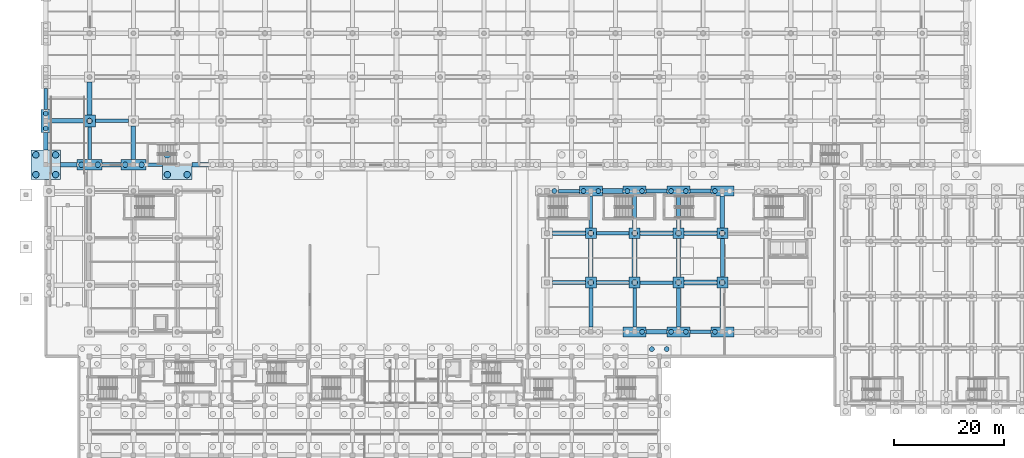
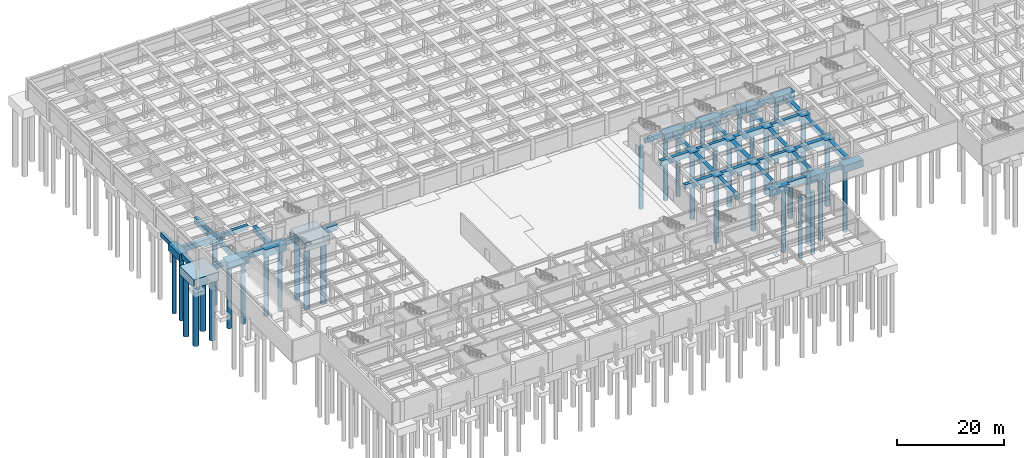
# One storey, part 5 of 48: 58 footings, 36 piles.
"""IFC4 building model written with IfcOpenShell, lengths in metres."""

from ifc_helpers import new_model, si_unit, direction, frame, origin, origin_2d, place, context, subcontext, project, spatial, polyline, rectangle, circle, outline, extrude, material, layer, layer_set, material_profile, profile_set, type_object, element, save


model = new_model("IFC4")

# Units and contexts
model_context = context("Model", 3, precision=1e-05, world=origin(), true_north=direction((0.0, 1.0)))
body_context = subcontext(model_context, "Body", "Model", "MODEL_VIEW")
ifc_project = project(units=[si_unit("LENGTHUNIT", "METRE"), si_unit("AREAUNIT", "SQUARE_METRE"), si_unit("VOLUMEUNIT", "CUBIC_METRE"), si_unit("PLANEANGLEUNIT", "RADIAN"), si_unit("MASSUNIT", "GRAM", prefix="KILO")], contexts=[model_context])

# Site, building, storey
site_placement = place(None, origin())
site = spatial("IfcSite", under=ifc_project, at=site_placement, CompositionType="ELEMENT")
building_placement = place(site_placement, origin())
building = spatial("IfcBuilding", under=site, at=building_placement, Name="Tlacozan Convention Centre", CompositionType="ELEMENT")
storey_placement = place(building_placement, frame((0.0, 0.0, -4.800048828125)))
storey = spatial("IfcBuildingStorey", under=building, at=storey_placement, Name="B01", CompositionType="ELEMENT", Elevation=-4.800048828125)

# Footings
ifc_material = material(Name="Concrete C35/45", Category="concrete")
ifc_layer_1 = layer(ifc_material, 1.0)
ifc_layer_set_1 = layer_set([ifc_layer_1], Name="Concrete C35/45")
footing_type_1 = type_object("IfcFootingType", Name="Foundation Tie Beam 650x1000", PredefinedType="FOOTING_BEAM", material=ifc_layer_set_1)
footing_1_placement = place(storey_placement, frame((0.0, 0.0, -1.0)))
element("IfcFooting", 1, at=footing_1_placement, inside=storey, type_object=footing_type_1, Name="Foundation Tie Beam X-73", PredefinedType="FOOTING_BEAM", context=body_context, shape_type="SweptSolid", body=[
    extrude(outline(polyline([(117.60009765625, 31.175048828125), (121.39990234375, 31.175048828125), (121.39990234375, 31.824951171875), (117.60009765625, 31.824951171875), (117.60009765625, 31.175048828125)])), origin(), (0.0, 0.0, 1.0), 1.0),
])
footing_2_placement = place(storey_placement, frame((0.0, 0.0, -1.0)))
element("IfcFooting", 2, at=footing_2_placement, inside=storey, type_object=footing_type_1, Name="Foundation Tie Beam X-89", PredefinedType="FOOTING_BEAM", context=body_context, shape_type="SweptSolid", body=[
    extrude(outline(polyline([(108.5, 40.175048828125), (114.5, 40.175048828125), (114.5, 40.824951171875), (108.5, 40.824951171875), (108.5, 40.175048828125)])), origin(), (0.0, 0.0, 1.0), 1.0),
])
footing_3_placement = place(storey_placement, frame((0.0, 0.0, -1.0)))
element("IfcFooting", 3, at=footing_3_placement, inside=storey, type_object=footing_type_1, Name="Foundation Tie Beam X-105", PredefinedType="FOOTING_BEAM", context=body_context, shape_type="SweptSolid", body=[
    extrude(outline(polyline([(100.5, 49.175048828125), (106.5, 49.175048828125), (106.5, 49.824951171875), (100.5, 49.824951171875), (100.5, 49.175048828125)])), origin(), (0.0, 0.0, 1.0), 1.0),
])
footing_4_placement = place(storey_placement, frame((0.0, 0.0, -1.0)))
element("IfcFooting", 4, at=footing_4_placement, inside=storey, type_object=footing_type_1, Name="Foundation Tie Beam X-121", PredefinedType="FOOTING_BEAM", context=body_context, shape_type="SweptSolid", body=[
    extrude(outline(polyline([(93.60009765625, 56.875), (97.39990234375, 56.875), (97.39990234375, 57.52490234375), (93.60009765625, 57.52490234375), (93.60009765625, 56.875)])), origin(), (0.0, 0.0, 1.0), 1.0),
])
footing_5_placement = place(storey_placement, frame((0.0, 0.0, -1.0)))
element("IfcFooting", 5, at=footing_5_placement, inside=storey, type_object=footing_type_1, Name="Foundation Tie Beam X-129", PredefinedType="FOOTING_BEAM", context=body_context, shape_type="SweptSolid", body=[
    extrude(outline(polyline([(18.300048828125, 61.675048828125), (21.300048828125, 61.675048828125), (21.300048828125, 62.324951171875), (18.300048828125, 62.324951171875), (18.300048828125, 61.675048828125)])), origin(), (0.0, 0.0, 1.0), 1.0),
])
footing_6_placement = place(storey_placement, frame((0.0, 0.0, -1.0)))
element("IfcFooting", 6, at=footing_6_placement, inside=storey, type_object=footing_type_1, Name="Foundation Tie Beam X-149", PredefinedType="FOOTING_BEAM", context=body_context, shape_type="SweptSolid", body=[
    extrude(outline(polyline([(9.10009765625, 69.675048828125), (15.10009765625, 69.675048828125), (15.10009765625, 70.324951171875), (9.10009765625, 70.324951171875), (9.10009765625, 69.675048828125)])), origin(), (0.0, 0.0, 1.0), 1.0),
])
footing_7_placement = place(storey_placement, frame((0.0, 0.0, -1.0)))
element("IfcFooting", 7, at=footing_7_placement, inside=storey, type_object=footing_type_1, Name="Foundation Tie Beam Y-317", PredefinedType="FOOTING_BEAM", context=body_context, shape_type="SweptSolid", body=[
    extrude(outline(polyline([(-0.324951171875, 72.10009765625), (0.324951171875, 72.10009765625), (0.324951171875, 75.89990234375), (-0.324951171875, 75.89990234375), (-0.324951171875, 72.10009765625)])), origin(), (0.0, 0.0, 1.0), 1.0),
])
footing_8_placement = place(storey_placement, frame((0.0, 0.0, -1.0)))
element("IfcFooting", 8, at=footing_8_placement, inside=storey, type_object=footing_type_1, Name="Foundation Tie Beam Y-333", PredefinedType="FOOTING_BEAM", context=body_context, shape_type="SweptSolid", body=[
    extrude(outline(polyline([(7.675048828125, 63.0), (8.324951171875, 63.0), (8.324951171875, 68.89990234375), (7.675048828125, 68.89990234375), (7.675048828125, 63.0)])), origin(), (0.0, 0.0, 1.0), 1.0),
])
footing_9_placement = place(storey_placement, frame((0.0, 0.0, -1.0)))
element("IfcFooting", 9, at=footing_9_placement, inside=storey, type_object=footing_type_1, Name="Foundation Tie Beam Y-477", PredefinedType="FOOTING_BEAM", context=body_context, shape_type="SweptSolid", body=[
    extrude(outline(polyline([(99.175048828125, 50.5), (99.824951171875, 50.5), (99.824951171875, 56.300048828125), (99.175048828125, 56.300048828125), (99.175048828125, 50.5)])), origin(), (0.0, 0.0, 1.0), 1.0),
])
footing_10_placement = place(storey_placement, frame((0.0, 0.0, -1.0)))
element("IfcFooting", 10, at=footing_10_placement, inside=storey, type_object=footing_type_1, Name="Foundation Tie Beam Y-489", PredefinedType="FOOTING_BEAM", context=body_context, shape_type="SweptSolid", body=[
    extrude(outline(polyline([(107.175048828125, 32.39990234375), (107.824951171875, 32.39990234375), (107.824951171875, 39.5), (107.175048828125, 39.5), (107.175048828125, 32.39990234375)])), origin(), (0.0, 0.0, 1.0), 1.0),
])
footing_11_placement = place(storey_placement, frame((0.0, 0.0, -1.0)))
element("IfcFooting", 11, at=footing_11_placement, inside=storey, type_object=footing_type_1, Name="Foundation Tie Beam Y-505", PredefinedType="FOOTING_BEAM", context=body_context, shape_type="SweptSolid", body=[
    extrude(outline(polyline([(115.175048828125, 50.5), (115.824951171875, 50.5), (115.824951171875, 56.300048828125), (115.175048828125, 56.300048828125), (115.175048828125, 50.5)])), origin(), (0.0, 0.0, 1.0), 1.0),
])
ifc_layer_2 = layer(ifc_material, 1.10009765625)
ifc_layer_set_2 = layer_set([ifc_layer_2], Name="Concrete C35/45")
footing_type_2 = type_object("IfcFootingType", Name="Foundation Tie Beam 750x1100", PredefinedType="FOOTING_BEAM", material=ifc_layer_set_2)
footing_12_placement = place(storey_placement, frame((0.0, 0.0, -1.099853515625)))
element("IfcFooting", 12, at=footing_12_placement, inside=storey, type_object=footing_type_2, Name="Foundation Tie Beam X-87", PredefinedType="FOOTING_BEAM", context=body_context, shape_type="SweptSolid", body=[
    extrude(outline(polyline([(92.5, 40.125), (98.5, 40.125), (98.5, 40.875), (92.5, 40.875), (92.5, 40.125)])), origin(), (0.0, 0.0, 1.0), 1.099853515625),
])
footing_13_placement = place(storey_placement, frame((0.0, 0.0, -1.099853515625)))
element("IfcFooting", 13, at=footing_13_placement, inside=storey, type_object=footing_type_2, Name="Foundation Tie Beam X-107", PredefinedType="FOOTING_BEAM", context=body_context, shape_type="SweptSolid", body=[
    extrude(outline(polyline([(116.5, 49.125), (122.5, 49.125), (122.5, 49.875), (116.5, 49.875), (116.5, 49.125)])), origin(), (0.0, 0.0, 1.0), 1.099853515625),
])
footing_14_placement = place(storey_placement, frame((0.0, 0.0, -1.099853515625)))
element("IfcFooting", 14, at=footing_14_placement, inside=storey, type_object=footing_type_2, Name="Foundation Tie Beam X-123", PredefinedType="FOOTING_BEAM", context=body_context, shape_type="SweptSolid", body=[
    extrude(outline(polyline([(109.60009765625, 56.824951171875), (113.39990234375, 56.824951171875), (113.39990234375, 57.574951171875), (109.60009765625, 57.574951171875), (109.60009765625, 56.824951171875)])), origin(), (0.0, 0.0, 1.0), 1.099853515625),
])
footing_15_placement = place(storey_placement, frame((0.0, 0.0, -1.099853515625)))
element("IfcFooting", 15, at=footing_15_placement, inside=storey, type_object=footing_type_2, Name="Foundation Tie Beam X-127", PredefinedType="FOOTING_BEAM", context=body_context, shape_type="SweptSolid", body=[
    extrude(outline(polyline([(2.699951171875, 61.625), (5.699951171875, 61.625), (5.699951171875, 62.375), (2.699951171875, 62.375), (2.699951171875, 61.625)])), origin(), (0.0, 0.0, 1.0), 1.099853515625),
])
footing_16_placement = place(storey_placement, frame((0.0, 0.0, -1.099853515625)))
element("IfcFooting", 16, at=footing_16_placement, inside=storey, type_object=footing_type_2, Name="Foundation Tie Beam Y-475", PredefinedType="FOOTING_BEAM", context=body_context, shape_type="SweptSolid", body=[
    extrude(outline(polyline([(99.125, 32.39990234375), (99.875, 32.39990234375), (99.875, 39.5), (99.125, 39.5), (99.125, 32.39990234375)])), origin(), (0.0, 0.0, 1.0), 1.099853515625),
])
footing_17_placement = place(storey_placement, frame((0.0, 0.0, -1.099853515625)))
element("IfcFooting", 17, at=footing_17_placement, inside=storey, type_object=footing_type_2, Name="Foundation Tie Beam Y-491", PredefinedType="FOOTING_BEAM", context=body_context, shape_type="SweptSolid", body=[
    extrude(outline(polyline([(107.125, 50.5), (107.875, 50.5), (107.875, 56.300048828125), (107.125, 56.300048828125), (107.125, 50.5)])), origin(), (0.0, 0.0, 1.0), 1.099853515625),
])
footing_18_placement = place(storey_placement, frame((0.0, 0.0, -1.099853515625)))
element("IfcFooting", 18, at=footing_18_placement, inside=storey, type_object=footing_type_2, Name="Foundation Tie Beam Y-503", PredefinedType="FOOTING_BEAM", context=body_context, shape_type="SweptSolid", body=[
    extrude(outline(polyline([(115.125, 32.39990234375), (115.875, 32.39990234375), (115.875, 39.5), (115.125, 39.5), (115.125, 32.39990234375)])), origin(), (0.0, 0.0, 1.0), 1.099853515625),
])
footing_19_placement = place(storey_placement, frame((0.0, 0.0, -1.099853515625)))
element("IfcFooting", 19, at=footing_19_placement, inside=storey, type_object=footing_type_2, Name="Foundation Tie Beam Y-515", PredefinedType="FOOTING_BEAM", context=body_context, shape_type="SweptSolid", body=[
    extrude(outline(polyline([(123.125, 41.5), (123.875, 41.5), (123.875, 48.5), (123.125, 48.5), (123.125, 41.5)])), origin(), (0.0, 0.0, 1.0), 1.099853515625),
])
ifc_layer_3 = layer(ifc_material, 1.199951171875)
ifc_layer_set_3 = layer_set([ifc_layer_3], Name="Concrete C35/45")
footing_type_3 = type_object("IfcFootingType", Name="Foundation Tie Beam 800x1200", PredefinedType="FOOTING_BEAM", material=ifc_layer_set_3)
footing_20_placement = place(storey_placement, frame((0.0, 0.0, -1.199951171875)))
element("IfcFooting", 20, at=footing_20_placement, inside=storey, type_object=footing_type_3, Name="Foundation Tie Beam X-72", PredefinedType="FOOTING_BEAM", context=body_context, shape_type="SweptSolid", body=[
    extrude(outline(polyline([(109.60009765625, 31.10009765625), (113.39990234375, 31.10009765625), (113.39990234375, 31.89990234375), (109.60009765625, 31.89990234375), (109.60009765625, 31.10009765625)])), origin(), (0.0, 0.0, 1.0), 1.199951171875),
])
footing_21_placement = place(storey_placement, frame((0.0, 0.0, -1.199951171875)))
element("IfcFooting", 21, at=footing_21_placement, inside=storey, type_object=footing_type_3, Name="Foundation Tie Beam X-88", PredefinedType="FOOTING_BEAM", context=body_context, shape_type="SweptSolid", body=[
    extrude(outline(polyline([(100.5, 40.10009765625), (106.5, 40.10009765625), (106.5, 40.89990234375), (100.5, 40.89990234375), (100.5, 40.10009765625)])), origin(), (0.0, 0.0, 1.0), 1.199951171875),
])
footing_22_placement = place(storey_placement, frame((0.0, 0.0, -1.199951171875)))
element("IfcFooting", 22, at=footing_22_placement, inside=storey, type_object=footing_type_3, Name="Foundation Tie Beam X-104", PredefinedType="FOOTING_BEAM", context=body_context, shape_type="SweptSolid", body=[
    extrude(outline(polyline([(92.5, 49.10009765625), (98.5, 49.10009765625), (98.5, 49.89990234375), (92.5, 49.89990234375), (92.5, 49.10009765625)])), origin(), (0.0, 0.0, 1.0), 1.199951171875),
])
footing_23_placement = place(storey_placement, frame((0.0, 0.0, -1.199951171875)))
element("IfcFooting", 23, at=footing_23_placement, inside=storey, type_object=footing_type_3, Name="Foundation Tie Beam X-124", PredefinedType="FOOTING_BEAM", context=body_context, shape_type="SweptSolid", body=[
    extrude(outline(polyline([(117.60009765625, 56.800048828125), (121.39990234375, 56.800048828125), (121.39990234375, 57.60009765625), (117.60009765625, 57.60009765625), (117.60009765625, 56.800048828125)])), origin(), (0.0, 0.0, 1.0), 1.199951171875),
])
footing_24_placement = place(storey_placement, frame((0.0, 0.0, -1.199951171875)))
element("IfcFooting", 24, at=footing_24_placement, inside=storey, type_object=footing_type_3, Name="Foundation Tie Beam X-128", PredefinedType="FOOTING_BEAM", context=body_context, shape_type="SweptSolid", body=[
    extrude(outline(polyline([(10.300048828125, 61.60009765625), (13.699951171875, 61.60009765625), (13.699951171875, 62.39990234375), (10.300048828125, 62.39990234375), (10.300048828125, 61.60009765625)])), origin(), (0.0, 0.0, 1.0), 1.199951171875),
])
footing_25_placement = place(storey_placement, frame((0.0, 0.0, -1.199951171875)))
element("IfcFooting", 25, at=footing_25_placement, inside=storey, type_object=footing_type_3, Name="Foundation Tie Beam X-148", PredefinedType="FOOTING_BEAM", context=body_context, shape_type="SweptSolid", body=[
    extrude(outline(polyline([(0.89990234375, 69.60009765625), (6.89990234375, 69.60009765625), (6.89990234375, 70.39990234375), (0.89990234375, 70.39990234375), (0.89990234375, 69.60009765625)])), origin(), (0.0, 0.0, 1.0), 1.199951171875),
])
footing_26_placement = place(storey_placement, frame((0.0, 0.0, -1.199951171875)))
element("IfcFooting", 26, at=footing_26_placement, inside=storey, type_object=footing_type_3, Name="Foundation Tie Beam Y-316", PredefinedType="FOOTING_BEAM", context=body_context, shape_type="SweptSolid", body=[
    extrude(outline(polyline([(-0.39990234375, 64.699951171875), (0.39990234375, 64.699951171875), (0.39990234375, 67.89990234375), (-0.39990234375, 67.89990234375), (-0.39990234375, 64.699951171875)])), origin(), (0.0, 0.0, 1.0), 1.199951171875),
])
footing_27_placement = place(storey_placement, frame((0.0, 0.0, -1.199951171875)))
element("IfcFooting", 27, at=footing_27_placement, inside=storey, type_object=footing_type_3, Name="Foundation Tie Beam Y-348", PredefinedType="FOOTING_BEAM", context=body_context, shape_type="SweptSolid", body=[
    extrude(outline(polyline([(15.60009765625, 63.0), (16.39990234375, 63.0), (16.39990234375, 69.10009765625), (15.60009765625, 69.10009765625), (15.60009765625, 63.0)])), origin(), (0.0, 0.0, 1.0), 1.199951171875),
])
footing_28_placement = place(storey_placement, frame((0.0, 0.0, -1.199951171875)))
element("IfcFooting", 28, at=footing_28_placement, inside=storey, type_object=footing_type_3, Name="Foundation Tie Beam Y-476", PredefinedType="FOOTING_BEAM", context=body_context, shape_type="SweptSolid", body=[
    extrude(outline(polyline([(99.10009765625, 41.5), (99.89990234375, 41.5), (99.89990234375, 48.5), (99.10009765625, 48.5), (99.10009765625, 41.5)])), origin(), (0.0, 0.0, 1.0), 1.199951171875),
])
footing_29_placement = place(storey_placement, frame((0.0, 0.0, -1.199951171875)))
element("IfcFooting", 29, at=footing_29_placement, inside=storey, type_object=footing_type_3, Name="Foundation Tie Beam Y-504", PredefinedType="FOOTING_BEAM", context=body_context, shape_type="SweptSolid", body=[
    extrude(outline(polyline([(115.10009765625, 41.5), (115.89990234375, 41.5), (115.89990234375, 48.5), (115.10009765625, 48.5), (115.10009765625, 41.5)])), origin(), (0.0, 0.0, 1.0), 1.199951171875),
])
footing_30_placement = place(storey_placement, frame((0.0, 0.0, -1.199951171875)))
element("IfcFooting", 30, at=footing_30_placement, inside=storey, type_object=footing_type_3, Name="Foundation Tie Beam Y-516", PredefinedType="FOOTING_BEAM", context=body_context, shape_type="SweptSolid", body=[
    extrude(outline(polyline([(123.10009765625, 50.5), (123.89990234375, 50.5), (123.89990234375, 56.300048828125), (123.10009765625, 56.300048828125), (123.10009765625, 50.5)])), origin(), (0.0, 0.0, 1.0), 1.199951171875),
])
ifc_layer_4 = layer(ifc_material, 1.300048828125)
ifc_layer_set_4 = layer_set([ifc_layer_4], Name="Concrete C35/45")
footing_type_4 = type_object("IfcFootingType", Name="Foundation Tie Beam 900x1300", PredefinedType="FOOTING_BEAM", material=ifc_layer_set_4)
footing_31_placement = place(storey_placement, frame((0.0, 0.0, -1.300048828125)))
element("IfcFooting", 31, at=footing_31_placement, inside=storey, type_object=footing_type_4, Name="Foundation Tie Beam X-90", PredefinedType="FOOTING_BEAM", context=body_context, shape_type="SweptSolid", body=[
    extrude(outline(polyline([(116.5, 40.050048828125), (122.5, 40.050048828125), (122.5, 40.949951171875), (116.5, 40.949951171875), (116.5, 40.050048828125)])), origin(), (0.0, 0.0, 1.0), 1.300048828125),
])
footing_32_placement = place(storey_placement, frame((0.0, 0.0, -1.300048828125)))
element("IfcFooting", 32, at=footing_32_placement, inside=storey, type_object=footing_type_4, Name="Foundation Tie Beam X-106", PredefinedType="FOOTING_BEAM", context=body_context, shape_type="SweptSolid", body=[
    extrude(outline(polyline([(108.5, 49.050048828125), (114.5, 49.050048828125), (114.5, 49.949951171875), (108.5, 49.949951171875), (108.5, 49.050048828125)])), origin(), (0.0, 0.0, 1.0), 1.300048828125),
])
footing_33_placement = place(storey_placement, frame((0.0, 0.0, -1.300048828125)))
element("IfcFooting", 33, at=footing_33_placement, inside=storey, type_object=footing_type_4, Name="Foundation Tie Beam X-122", PredefinedType="FOOTING_BEAM", context=body_context, shape_type="SweptSolid", body=[
    extrude(outline(polyline([(101.60009765625, 56.75), (105.39990234375, 56.75), (105.39990234375, 57.64990234375), (101.60009765625, 57.64990234375), (101.60009765625, 56.75)])), origin(), (0.0, 0.0, 1.0), 1.300048828125),
])
footing_34_placement = place(storey_placement, frame((0.0, 0.0, -1.300048828125)))
element("IfcFooting", 34, at=footing_34_placement, inside=storey, type_object=footing_type_4, Name="Foundation Tie Beam X-130", PredefinedType="FOOTING_BEAM", context=body_context, shape_type="SweptSolid", body=[
    extrude(outline(polyline([(26.699951171875, 61.550048828125), (29.699951171875, 61.550048828125), (29.699951171875, 62.449951171875), (26.699951171875, 62.449951171875), (26.699951171875, 61.550048828125)])), origin(), (0.0, 0.0, 1.0), 1.300048828125),
])
footing_35_placement = place(storey_placement, frame((0.0, 0.0, -1.300048828125)))
element("IfcFooting", 35, at=footing_35_placement, inside=storey, type_object=footing_type_4, Name="Foundation Tie Beam Y-334", PredefinedType="FOOTING_BEAM", context=body_context, shape_type="SweptSolid", body=[
    extrude(outline(polyline([(7.550048828125, 71.10009765625), (8.449951171875, 71.10009765625), (8.449951171875, 77.10009765625), (7.550048828125, 77.10009765625), (7.550048828125, 71.10009765625)])), origin(), (0.0, 0.0, 1.0), 1.300048828125),
])
footing_36_placement = place(storey_placement, frame((0.0, 0.0, -1.300048828125)))
element("IfcFooting", 36, at=footing_36_placement, inside=storey, type_object=footing_type_4, Name="Foundation Tie Beam Y-490", PredefinedType="FOOTING_BEAM", context=body_context, shape_type="SweptSolid", body=[
    extrude(outline(polyline([(107.050048828125, 41.5), (107.949951171875, 41.5), (107.949951171875, 48.5), (107.050048828125, 48.5), (107.050048828125, 41.5)])), origin(), (0.0, 0.0, 1.0), 1.300048828125),
])
footing_37_placement = place(storey_placement, frame((0.0, 0.0, -1.300048828125)))
element("IfcFooting", 37, at=footing_37_placement, inside=storey, type_object=footing_type_4, Name="Foundation Tie Beam Y-514", PredefinedType="FOOTING_BEAM", context=body_context, shape_type="SweptSolid", body=[
    extrude(outline(polyline([(123.050048828125, 32.39990234375), (123.949951171875, 32.39990234375), (123.949951171875, 39.5), (123.050048828125, 39.5), (123.050048828125, 32.39990234375)])), origin(), (0.0, 0.0, 1.0), 1.300048828125),
])
ifc_layer_5 = layer(ifc_material, 1.5)
ifc_layer_set_5 = layer_set([ifc_layer_5], Name="Concrete C35/45")
footing_type_5 = type_object("IfcFootingType", Name="Pile Cap 1P 2000x2000x1500", PredefinedType="PILE_CAP", material=ifc_layer_set_5)
for number, where, z_axis, x_axis, name in (
    (38, (99.5, 40.5, -1.5), (0.0, 0.0, 1.0), (1.0, 0.0, 0.0), "Pile Cap PC-02 (190)"),
    (39, (99.5, 49.5, -1.5), (0.0, 0.0, 1.0), (1.0, 0.0, 0.0), "Pile Cap PC-02 (191)"),
    (40, (107.5, 40.5, -1.5), (0.0, 0.0, 1.0), (1.0, 0.0, 0.0), "Pile Cap PC-02 (207)"),
    (41, (107.5, 49.5, -1.5), (0.0, 0.0, 1.0), (1.0, 0.0, 0.0), "Pile Cap PC-02 (208)"),
    (42, (115.5, 40.5, -1.5), (0.0, 0.0, 1.0), (1.0, 0.0, 0.0), "Pile Cap PC-02 (224)"),
    (43, (115.5, 49.5, -1.5), (0.0, 0.0, 1.0), (1.0, 0.0, 0.0), "Pile Cap PC-02 (225)"),
    (44, (123.5, 40.5, -1.5), (0.0, 0.0, 1.0), (1.0, 0.0, 0.0), "Pile Cap PC-02 (237)"),
    (45, (123.5, 49.5, -1.5), (0.0, 0.0, 1.0), (1.0, 0.0, 0.0), "Pile Cap PC-02 (238)"),
):
    element("IfcFooting", number, at=place(storey_placement, frame(where, z_axis=z_axis, x_axis=x_axis)), inside=storey, type_object=footing_type_5, Name=name, PredefinedType="PILE_CAP", context=body_context, shape_type="SweptSolid", body=[
        extrude(rectangle(XDim=2.0, YDim=2.0, at=origin_2d()), origin(), (0.0, 0.0, 1.0), 1.5),
    ])
ifc_layer_6 = layer(ifc_material, 1.550048828125)
ifc_layer_set_6 = layer_set([ifc_layer_6], Name="Concrete C35/45")
footing_type_6 = type_object("IfcFootingType", Name="Pile Cap 1P 2200x2200x1550", PredefinedType="PILE_CAP", material=ifc_layer_set_6)
footing_38_placement = place(storey_placement, frame((8.0, 70.0, -1.5498046875), z_axis=(0.0, 0.0, 1.0), x_axis=(1.0, 0.0, 0.0)))
element("IfcFooting", 46, at=footing_38_placement, inside=storey, type_object=footing_type_6, Name="Pile Cap PC-09 (22)", PredefinedType="PILE_CAP", context=body_context, shape_type="SweptSolid", body=[
    extrude(rectangle(XDim=2.199951171875, YDim=2.199951171875, at=origin_2d()), origin(), (0.0, 0.0, 1.0), 1.550048828125),
])
ifc_layer_7 = layer(ifc_material, 1.60009765625)
ifc_layer_set_7 = layer_set([ifc_layer_7], Name="Concrete C35/45")
footing_type_7 = type_object("IfcFootingType", Name="Pile Cap 2P 1800x4200x1600", PredefinedType="PILE_CAP", material=ifc_layer_set_7)
footing_39_placement = place(storey_placement, frame((0.0, 70.0, -1.60009765625), z_axis=(0.0, 0.0, 1.0), x_axis=(1.0, 0.0, 0.0)))
element("IfcFooting", 47, at=footing_39_placement, inside=storey, type_object=footing_type_7, Name="Pile Cap PC-04 (2)", PredefinedType="PILE_CAP", context=body_context, shape_type="SweptSolid", body=[
    extrude(rectangle(XDim=1.800048828125, YDim=4.199951171875, at=origin_2d()), origin(), (0.0, 0.0, 1.0), 1.60009765625),
])
ifc_layer_8 = layer(ifc_material, 1.60009765625)
ifc_layer_set_8 = layer_set([ifc_layer_8], Name="Concrete C35/45")
footing_type_8 = type_object("IfcFootingType", Name="Pile Cap 2P 4200x1800x1600", PredefinedType="PILE_CAP", material=ifc_layer_set_8)
for number, where, z_axis, x_axis, name in (
    (48, (99.5, 57.199951171875, -1.60009765625), (0.0, 0.0, 1.0), (1.0, 0.0, 0.0), "Pile Cap PC-03 (192)"),
    (49, (107.5, 31.5, -1.60009765625), (0.0, 0.0, 1.0), (1.0, 0.0, 0.0), "Pile Cap PC-03 (206)"),
    (50, (107.5, 57.199951171875, -1.60009765625), (0.0, 0.0, 1.0), (1.0, 0.0, 0.0), "Pile Cap PC-03 (209)"),
    (51, (115.5, 31.5, -1.60009765625), (0.0, 0.0, 1.0), (1.0, 0.0, 0.0), "Pile Cap PC-03 (223)"),
    (52, (115.5, 57.199951171875, -1.60009765625), (0.0, 0.0, 1.0), (1.0, 0.0, 0.0), "Pile Cap PC-03 (226)"),
    (53, (123.5, 31.5, -1.60009765625), (0.0, 0.0, 1.0), (1.0, 0.0, 0.0), "Pile Cap PC-03 (236)"),
    (54, (123.5, 57.199951171875, -1.60009765625), (0.0, 0.0, 1.0), (1.0, 0.0, 0.0), "Pile Cap PC-03 (239)"),
):
    element("IfcFooting", number, at=place(storey_placement, frame(where, z_axis=z_axis, x_axis=x_axis)), inside=storey, type_object=footing_type_8, Name=name, PredefinedType="PILE_CAP", context=body_context, shape_type="SweptSolid", body=[
        extrude(rectangle(XDim=4.199951171875, YDim=1.800048828125, at=origin_2d()), origin(), (0.0, 0.0, 1.0), 1.60009765625),
    ])
ifc_layer_9 = layer(ifc_material, 1.699951171875)
ifc_layer_set_9 = layer_set([ifc_layer_9], Name="Concrete C35/45")
footing_type_9 = type_object("IfcFootingType", Name="Pile Cap 2P 4600x2000x1700", PredefinedType="PILE_CAP", material=ifc_layer_set_9)
for number, where, z_axis, x_axis, name in (
    (55, (8.0, 62.0, -1.69970703125), (0.0, 0.0, 1.0), (1.0, 0.0, 0.0), "Pile Cap PC-05 (21)"),
    (56, (16.0, 62.0, -1.69970703125), (0.0, 0.0, 1.0), (1.0, 0.0, 0.0), "Pile Cap PC-05 (38)"),
):
    element("IfcFooting", number, at=place(storey_placement, frame(where, z_axis=z_axis, x_axis=x_axis)), inside=storey, type_object=footing_type_9, Name=name, PredefinedType="PILE_CAP", context=body_context, shape_type="SweptSolid", body=[
        extrude(rectangle(XDim=4.60009765625, YDim=2.0, at=origin_2d()), origin(), (0.0, 0.0, 1.0), 1.699951171875),
    ])
ifc_layer_10 = layer(ifc_material, 2.0)
ifc_layer_set_10 = layer_set([ifc_layer_10], Name="Concrete C35/45")
footing_type_10 = type_object("IfcFootingType", Name="Pile Cap 4P 5400x5400x2000", PredefinedType="PILE_CAP", material=ifc_layer_set_10)
for number, where, z_axis, x_axis, name in (
    (57, (0.0, 62.0, -2.0), (0.0, 0.0, 1.0), (1.0, 0.0, 0.0), "Pile Cap PC-08 (1)"),
    (58, (24.0, 62.0, -2.0), (0.0, 0.0, 1.0), (1.0, 0.0, 0.0), "Pile Cap PC-08 (55)"),
):
    element("IfcFooting", number, at=place(storey_placement, frame(where, z_axis=z_axis, x_axis=x_axis)), inside=storey, type_object=footing_type_10, Name=name, PredefinedType="PILE_CAP", context=body_context, shape_type="SweptSolid", body=[
        extrude(rectangle(XDim=5.39990234375, YDim=5.39990234375, at=origin_2d()), origin(), (0.0, 0.0, 1.0), 2.0),
    ])

# Piles
ifc_material_profile_1 = material_profile(ifc_material, circle(Radius=0.5, at=origin_2d()), Name="PILE D1000")
ifc_profile_set_1 = profile_set([ifc_material_profile_1], Name="Concrete C35/45")
pile_type_1 = type_object("IfcPileType", Name="Pile D1000 Bored", PredefinedType="BORED", material=ifc_profile_set_1)
for number, where, z_axis, x_axis, name in (
    (59, (6.5, 62.0, -1.579833984375), (0.0, 0.0, -1.0), (1.0, 0.0, 0.0), "Bored Pile 48"),
    (60, (9.5, 62.0, -1.579833984375), (0.0, 0.0, -1.0), (1.0, 0.0, 0.0), "Bored Pile 49"),
):
    element("IfcPile", number, at=place(storey_placement, frame(where, z_axis=z_axis, x_axis=x_axis)), inside=storey, type_object=pile_type_1, Name=name, PredefinedType="BORED", context=body_context, shape_type="SweptSolid", body=[
        extrude(circle(Radius=0.5, at=origin_2d()), origin(), (0.0, 0.0, 1.0), 14.1201171875),
    ])
pile_placement = place(storey_placement, frame((8.0, 70.0, -1.429931640625), z_axis=(0.0, 0.0, -1.0), x_axis=(1.0, 0.0, 0.0)))
element("IfcPile", 61, at=pile_placement, inside=storey, type_object=pile_type_1, Name="Bored Pile 50", PredefinedType="BORED", context=body_context, shape_type="SweptSolid", body=[
    extrude(circle(Radius=0.5, at=origin_2d()), origin(), (0.0, 0.0, 1.0), 14.27001953125),
])
for number, where, z_axis, x_axis, name in (
    (62, (14.5, 62.0, -1.579833984375), (0.0, 0.0, -1.0), (1.0, 0.0, 0.0), "Bored Pile 77"),
    (63, (17.5, 62.0, -1.579833984375), (0.0, 0.0, -1.0), (1.0, 0.0, 0.0), "Bored Pile 78"),
):
    element("IfcPile", number, at=place(storey_placement, frame(where, z_axis=z_axis, x_axis=x_axis)), inside=storey, type_object=pile_type_1, Name=name, PredefinedType="BORED", context=body_context, shape_type="SweptSolid", body=[
        extrude(circle(Radius=0.5, at=origin_2d()), origin(), (0.0, 0.0, 1.0), 14.1201171875),
    ])
for number, where, z_axis, x_axis, name in (
    (64, (99.5, 40.5, -1.3798828125), (0.0, 0.0, -1.0), (1.0, 0.0, 0.0), "Bored Pile 372"),
    (65, (99.5, 49.5, -1.3798828125), (0.0, 0.0, -1.0), (1.0, 0.0, 0.0), "Bored Pile 373"),
    (66, (107.5, 40.5, -1.3798828125), (0.0, 0.0, -1.0), (1.0, 0.0, 0.0), "Bored Pile 403"),
    (67, (107.5, 49.5, -1.3798828125), (0.0, 0.0, -1.0), (1.0, 0.0, 0.0), "Bored Pile 404"),
    (68, (115.5, 40.5, -1.3798828125), (0.0, 0.0, -1.0), (1.0, 0.0, 0.0), "Bored Pile 436"),
    (69, (115.5, 49.5, -1.3798828125), (0.0, 0.0, -1.0), (1.0, 0.0, 0.0), "Bored Pile 437"),
    (70, (123.5, 40.5, -1.3798828125), (0.0, 0.0, -1.0), (1.0, 0.0, 0.0), "Bored Pile 457"),
    (71, (123.5, 49.5, -1.3798828125), (0.0, 0.0, -1.0), (1.0, 0.0, 0.0), "Bored Pile 458"),
):
    element("IfcPile", number, at=place(storey_placement, frame(where, z_axis=z_axis, x_axis=x_axis)), inside=storey, type_object=pile_type_1, Name=name, PredefinedType="BORED", context=body_context, shape_type="SweptSolid", body=[
        extrude(circle(Radius=0.5, at=origin_2d()), origin(), (0.0, 0.0, 1.0), 14.320068359375),
    ])
ifc_material_profile_2 = material_profile(ifc_material, circle(Radius=0.60009765625, at=origin_2d()), Name="PILE D1200")
ifc_profile_set_2 = profile_set([ifc_material_profile_2], Name="Concrete C35/45")
pile_type_2 = type_object("IfcPileType", Name="Pile D1200 Bored", PredefinedType="BORED", material=ifc_profile_set_2)
for number, where, z_axis, x_axis, name in (
    (72, (-1.800048828125, 60.199951171875, -1.8798828125), (0.0, 0.0, -1.0), (1.0, 0.0, 0.0), "Bored Pile 1"),
    (73, (1.800048828125, 60.199951171875, -1.8798828125), (0.0, 0.0, -1.0), (1.0, 0.0, 0.0), "Bored Pile 2"),
    (74, (-1.800048828125, 63.800048828125, -1.8798828125), (0.0, 0.0, -1.0), (1.0, 0.0, 0.0), "Bored Pile 3"),
    (75, (1.800048828125, 63.800048828125, -1.8798828125), (0.0, 0.0, -1.0), (1.0, 0.0, 0.0), "Bored Pile 4"),
    (76, (22.199951171875, 60.199951171875, -1.8798828125), (0.0, 0.0, -1.0), (1.0, 0.0, 0.0), "Bored Pile 106"),
    (77, (25.800048828125, 60.199951171875, -1.8798828125), (0.0, 0.0, -1.0), (1.0, 0.0, 0.0), "Bored Pile 107"),
    (78, (22.199951171875, 63.800048828125, -1.8798828125), (0.0, 0.0, -1.0), (1.0, 0.0, 0.0), "Bored Pile 108"),
):
    element("IfcPile", number, at=place(storey_placement, frame(where, z_axis=z_axis, x_axis=x_axis)), inside=storey, type_object=pile_type_2, Name=name, PredefinedType="BORED", context=body_context, shape_type="SweptSolid", body=[
        extrude(circle(Radius=0.60009765625, at=origin_2d()), origin(), (0.0, 0.0, 1.0), 13.820068359375),
    ])
ifc_material_profile_3 = material_profile(ifc_material, circle(Radius=0.449951171875, at=origin_2d()), Name="PILE D900")
ifc_profile_set_3 = profile_set([ifc_material_profile_3], Name="Concrete C35/45")
pile_type_3 = type_object("IfcPileType", Name="Pile D900 Bored", PredefinedType="BORED", material=ifc_profile_set_3)
for number, where, z_axis, x_axis, name in (
    (79, (0.0, 68.64990234375, -1.47998046875), (0.0, 0.0, -1.0), (1.0, 0.0, 0.0), "Bored Pile 5"),
    (80, (0.0, 71.35009765625, -1.47998046875), (0.0, 0.0, -1.0), (1.0, 0.0, 0.0), "Bored Pile 6"),
    (81, (92.85009765625, 57.199951171875, -1.47998046875), (0.0, 0.0, -1.0), (1.0, 0.0, 0.0), "Bored Pile 340"),
    (82, (98.14990234375, 57.199951171875, -1.47998046875), (0.0, 0.0, -1.0), (1.0, 0.0, 0.0), "Bored Pile 374"),
    (83, (100.85009765625, 57.199951171875, -1.47998046875), (0.0, 0.0, -1.0), (1.0, 0.0, 0.0), "Bored Pile 375"),
    (84, (108.85009765625, 31.5, -1.47998046875), (0.0, 0.0, -1.0), (1.0, 0.0, 0.0), "Bored Pile 402"),
    (85, (106.14990234375, 57.199951171875, -1.47998046875), (0.0, 0.0, -1.0), (1.0, 0.0, 0.0), "Bored Pile 405"),
    (86, (108.85009765625, 57.199951171875, -1.47998046875), (0.0, 0.0, -1.0), (1.0, 0.0, 0.0), "Bored Pile 406"),
):
    element("IfcPile", number, at=place(storey_placement, frame(where, z_axis=z_axis, x_axis=x_axis)), inside=storey, type_object=pile_type_3, Name=name, PredefinedType="BORED", context=body_context, shape_type="SweptSolid", body=[
        extrude(circle(Radius=0.449951171875, at=origin_2d()), origin(), (0.0, 0.0, 1.0), 14.219970703125),
    ])
for number, where, z_axis, x_axis, name in (
    (87, (110.64990234375, 28.35009765625, -1.6298828125), (0.0, 0.0, -1.0), (1.0, 0.0, 0.0), "Bored Pile 421"),
    (88, (113.35009765625, 28.35009765625, -1.6298828125), (0.0, 0.0, -1.0), (1.0, 0.0, 0.0), "Bored Pile 422"),
):
    element("IfcPile", number, at=place(storey_placement, frame(where, z_axis=z_axis, x_axis=x_axis)), inside=storey, type_object=pile_type_3, Name=name, PredefinedType="BORED", context=body_context, shape_type="SweptSolid", body=[
        extrude(circle(Radius=0.449951171875, at=origin_2d()), origin(), (0.0, 0.0, 1.0), 14.070068359375),
    ])
for number, where, z_axis, x_axis, name in (
    (89, (114.14990234375, 31.5, -1.47998046875), (0.0, 0.0, -1.0), (1.0, 0.0, 0.0), "Bored Pile 434"),
    (90, (116.85009765625, 31.5, -1.47998046875), (0.0, 0.0, -1.0), (1.0, 0.0, 0.0), "Bored Pile 435"),
    (91, (114.14990234375, 57.199951171875, -1.47998046875), (0.0, 0.0, -1.0), (1.0, 0.0, 0.0), "Bored Pile 438"),
    (92, (116.85009765625, 57.199951171875, -1.47998046875), (0.0, 0.0, -1.0), (1.0, 0.0, 0.0), "Bored Pile 439"),
    (93, (122.14990234375, 31.5, -1.47998046875), (0.0, 0.0, -1.0), (1.0, 0.0, 0.0), "Bored Pile 455"),
    (94, (122.14990234375, 57.199951171875, -1.47998046875), (0.0, 0.0, -1.0), (1.0, 0.0, 0.0), "Bored Pile 459"),
):
    element("IfcPile", number, at=place(storey_placement, frame(where, z_axis=z_axis, x_axis=x_axis)), inside=storey, type_object=pile_type_3, Name=name, PredefinedType="BORED", context=body_context, shape_type="SweptSolid", body=[
        extrude(circle(Radius=0.449951171875, at=origin_2d()), origin(), (0.0, 0.0, 1.0), 14.219970703125),
    ])

save(model, "model.ifc")
